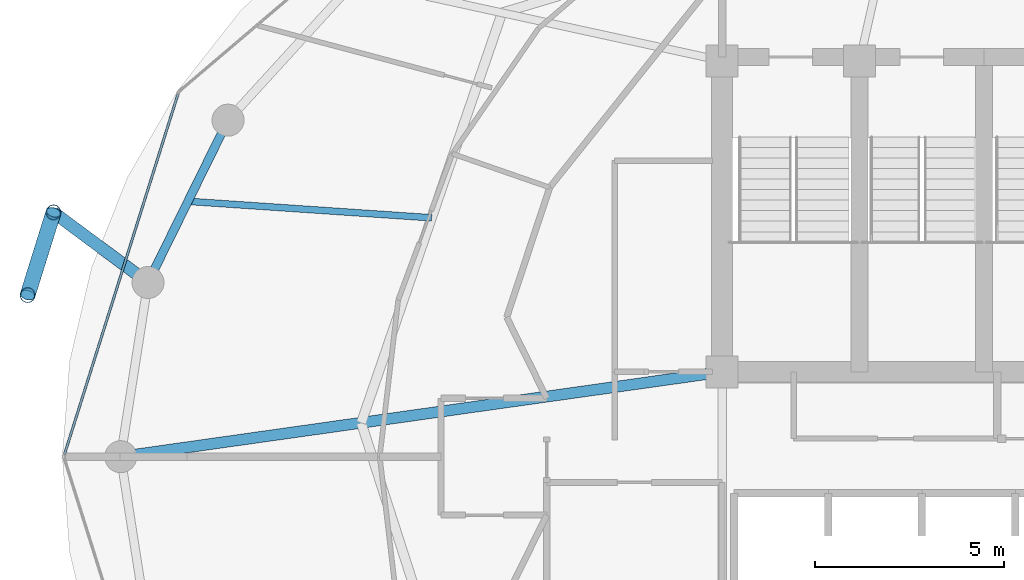
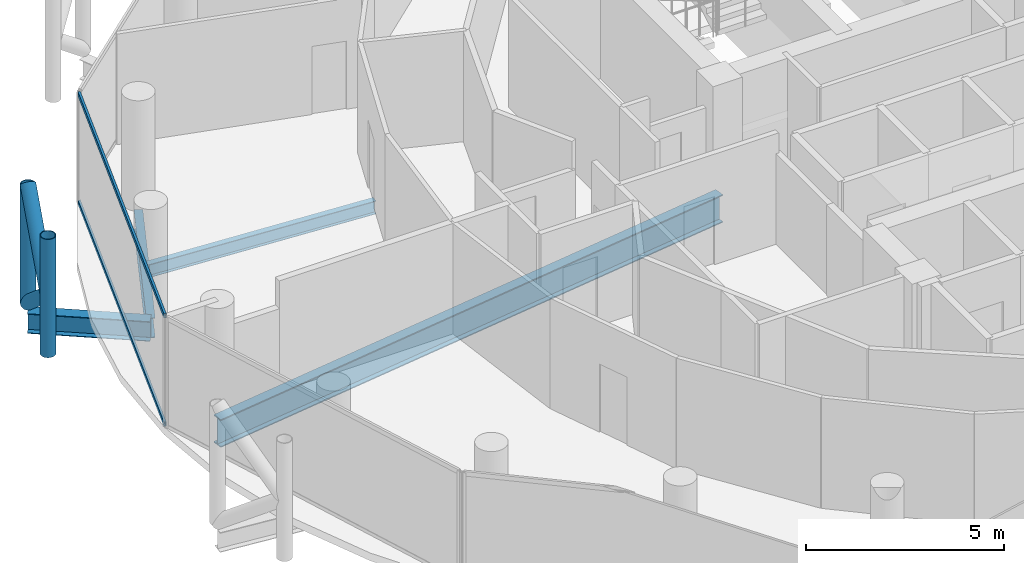
# One storey, part 8 of 27: 6 members, 4 beams, 1 element without a shape of its own.
"""IFC4 building model written with IfcOpenShell, lengths in metres."""

from ifc_helpers import new_model, si_unit, direction, frame, origin, origin_2d, place, context, subcontext, project, spatial, hollow_rectangle, hollow_circle, i_section, extrude, material, layer, layer_set, material_profile, profile_set, type_object, element, aggregate, save


model = new_model("IFC4")

# Units and contexts
model_context = context("Model", 3, precision=1e-05, world=origin(), true_north=direction((0.0, 1.0)))
body_context = subcontext(model_context, "Body", "Model", "MODEL_VIEW")
ifc_project = project(units=[si_unit("LENGTHUNIT", "METRE"), si_unit("AREAUNIT", "SQUARE_METRE"), si_unit("VOLUMEUNIT", "CUBIC_METRE"), si_unit("PLANEANGLEUNIT", "RADIAN"), si_unit("MASSUNIT", "GRAM", prefix="KILO")], contexts=[model_context])

# Site, building, storey
site_placement = place(None, origin())
site = spatial("IfcSite", under=ifc_project, at=site_placement, CompositionType="ELEMENT")
building_placement = place(site_placement, origin())
building = spatial("IfcBuilding", under=site, at=building_placement, Name="Nuhasar Tower", CompositionType="ELEMENT")
storey_placement = place(building_placement, frame((0.0, 0.0, 219.10009765625)))
storey = spatial("IfcBuildingStorey", under=building, at=storey_placement, Name="L53", CompositionType="ELEMENT", Elevation=219.10009765625)

# Beams
ifc_material_1 = material(Name="Steel S355", Category="steel")
ifc_material_profile_1 = material_profile(ifc_material_1, i_section(OverallWidth=0.177978515625, OverallDepth=0.406005859375, WebThickness=0.0078125, FlangeThickness=0.0126953125, at=origin_2d()), Name="W16X40")
ifc_profile_set_1 = profile_set([ifc_material_profile_1], Name="Steel S355")
beam_type_1 = type_object("IfcBeamType", Name="BM-JST-W16X40", PredefinedType="JOIST", material=ifc_profile_set_1)
beam_1_placement = place(storey_placement, frame((25.9970703125, 33.135986328125, -0.443115234375), z_axis=(-0.997721156568, 0.067472170095, 0.0), x_axis=(-0.067472170095, -0.997721156568, 0.0)))
element("IfcBeam", 1, at=beam_1_placement, inside=storey, type_object=beam_type_1, Name="L53 Secondary Floor Joist 07", PredefinedType="JOIST", context=body_context, shape_type="SweptSolid", body=[
    extrude(i_section(OverallWidth=0.177978515625, OverallDepth=0.406005859375, WebThickness=0.0078125, FlangeThickness=0.0126953125, at=origin_2d()), origin(), (0.0, 0.0, 1.0), 6.476806640625),
])
ifc_material_profile_2 = material_profile(ifc_material_1, i_section(OverallWidth=0.2919921875, OverallDepth=0.85888671875, WebThickness=0.01708984375, FlangeThickness=0.031005859375, at=origin_2d()), Name="W33X169")
ifc_profile_set_2 = profile_set([ifc_material_profile_2], Name="Steel S355")
beam_type_2 = type_object("IfcBeamType", Name="BM-POD-W33X169", PredefinedType="BEAM", material=ifc_profile_set_2)
beam_2_placement = place(storey_placement, frame((33.699951171875, 29.050048828125, -0.669189453125), z_axis=(-0.990196233464, -0.139683281866, 0.0), x_axis=(0.139683281866, -0.990196233464, 0.0)))
element("IfcBeam", 2, at=beam_2_placement, inside=storey, type_object=beam_type_2, Name="L53 Radial Floor Girder 08", PredefinedType="BEAM", context=body_context, shape_type="SweptSolid", body=[
    extrude(i_section(OverallWidth=0.2919921875, OverallDepth=0.85888671875, WebThickness=0.01708984375, FlangeThickness=0.031005859375, at=origin_2d()), origin(), (0.0, 0.0, 1.0), 16.10791015625),
])
ifc_material_profile_3 = material_profile(ifc_material_1, i_section(OverallWidth=0.22802734375, OverallDepth=0.60791015625, WebThickness=0.01123046875, FlangeThickness=0.017333984375, at=origin_2d()), Name="W24X76")
ifc_profile_set_3 = profile_set([ifc_material_profile_3], Name="Steel S355")
beam_type_3 = type_object("IfcBeamType", Name="BM-RING-W24X76", PredefinedType="SPANDREL", material=ifc_profile_set_3)
beam_3_placement = place(storey_placement, frame((20.596923828125, 35.72509765625, -0.544189453125), z_axis=(-0.442242604409, -0.896895467067, 0.0), x_axis=(0.896895467067, -0.442242604409, 0.0)))
element("IfcBeam", 3, at=beam_3_placement, inside=storey, type_object=beam_type_3, Name="L53 Perimeter Ring Spandrel 11", PredefinedType="SPANDREL", context=body_context, shape_type="SweptSolid", body=[
    extrude(i_section(OverallWidth=0.22802734375, OverallDepth=0.60791015625, WebThickness=0.01123046875, FlangeThickness=0.017333984375, at=origin_2d()), origin(), (0.0, 0.0, 1.0), 4.800048828125),
])
ifc_material_profile_4 = material_profile(ifc_material_1, i_section(OverallWidth=0.323974609375, OverallDepth=0.611083984375, WebThickness=0.0126953125, FlangeThickness=0.01904296875, at=origin_2d()), Name="W24X104")
ifc_profile_set_4 = profile_set([ifc_material_profile_4], Name="Steel S355")
beam_type_4 = type_object("IfcBeamType", Name="BM-TIE-W24X104", PredefinedType="BEAM", material=ifc_profile_set_4)
beam_4_placement = place(storey_placement, frame((18.47412109375, 31.419921875, -0.545166015625), z_axis=(-0.802945922723, 0.596051881285, 0.0), x_axis=(-0.596051881285, -0.802945922723, 0.0)))
element("IfcBeam", 4, at=beam_4_placement, inside=storey, type_object=beam_type_4, Name="L53 Exoskeleton Node Tie Beam 06", PredefinedType="BEAM", context=body_context, shape_type="SweptSolid", body=[
    extrude(i_section(OverallWidth=0.323974609375, OverallDepth=0.611083984375, WebThickness=0.0126953125, FlangeThickness=0.01904296875, at=origin_2d()), origin(), (0.0, 0.0, 1.0), 3.122314453125),
])

# Curtain wall, members
ifc_material_2 = material(Name="Aluminium 6063-T6", Category="aluminium")
ifc_layer = layer(ifc_material_2, 0.18994140625)
ifc_layer_set = layer_set([ifc_layer], Name="Aluminium 6063-T6")
curtain_wall_type = type_object("IfcCurtainWallType", Name="CW-Z3-RES", PredefinedType="NOTDEFINED", material=ifc_layer_set)
curtain_wall_placement = place(storey_placement, origin())
curtain_wall = element("IfcCurtainWall", 5, at=curtain_wall_placement, inside=storey, type_object=curtain_wall_type, Name="L53 Unitised Curtain Wall 06", PredefinedType="NOTDEFINED")
ifc_material_profile_5 = material_profile(ifc_material_2, hollow_rectangle(XDim=0.06494140625, YDim=0.139892578125, WallThickness=0.00439453125, at=origin_2d()), Name="CWT-4")
ifc_profile_set_5 = profile_set([ifc_material_profile_5], Name="Aluminium 6063-T6")
member_type_1 = type_object("IfcMemberType", Name="CW-TRN-S4", PredefinedType="USERDEFINED", material=ifc_profile_set_5)
member_1_placement = place(storey_placement, frame((19.26953125, 36.41796875, 0.032470703125), z_axis=(-0.300437373386, -0.953801543652, 0.0), x_axis=(0.953801543652, -0.300437373386, 0.0)))
member_1 = element("IfcMember", 6, at=member_1_placement, type_object=member_type_1, Name="CW-Z3 transom 1.1", ObjectType="TRANSOM", PredefinedType="USERDEFINED", context=body_context, shape_type="SweptSolid", body=[
    extrude(hollow_rectangle(XDim=0.06494140625, YDim=0.139892578125, WallThickness=0.00439453125, at=origin_2d()), origin(), (0.0, 0.0, 1.0), 10.018798828125),
])
member_2_placement = place(storey_placement, frame((19.26953125, 36.41796875, 3.37744140625), z_axis=(-0.300437373386, -0.953801543652, 0.0), x_axis=(0.953801543652, -0.300437373386, 0.0)))
member_2 = element("IfcMember", 7, at=member_2_placement, type_object=member_type_1, Name="CW-Z3 transom 1.2", ObjectType="TRANSOM", PredefinedType="USERDEFINED", context=body_context, shape_type="SweptSolid", body=[
    extrude(hollow_rectangle(XDim=0.06494140625, YDim=0.139892578125, WallThickness=0.00439453125, at=origin_2d()), origin(), (0.0, 0.0, 1.0), 10.018798828125),
])
aggregate(curtain_wall, [member_1, member_2])

# Members
ifc_material_3 = material(Name="Steel S460", Category="steel")
ifc_material_profile_6 = material_profile(ifc_material_3, hollow_circle(Radius=0.203125, WallThickness=0.01904296875, at=origin_2d()), Name="HSS406.4X19.1")
ifc_profile_set_6 = profile_set([ifc_material_profile_6], Name="Steel S460")
member_type_2 = type_object("IfcMemberType", Name="EXO-BRONZE-406", PredefinedType="BRACE", material=ifc_profile_set_6)
for number, where, z_axis, x_axis, name in (
    (8, (15.967041015625, 33.281005859375, 0.0), (0.0, 0.0, 1.0), (1.0, 0.0, 0.0), "L53 Exoskeleton Chord Column EC-06A"),
    (9, (15.281982421875, 31.0859375, 0.0), (0.0, 0.0, 1.0), (1.0, 0.0, 0.0), "L53 Exoskeleton Chord Column EC-06B"),
):
    element("IfcMember", number, at=place(storey_placement, frame(where, z_axis=z_axis, x_axis=x_axis)), inside=storey, type_object=member_type_2, Name=name, PredefinedType="BRACE", context=body_context, shape_type="SweptSolid", body=[
        extrude(hollow_circle(Radius=0.203125, WallThickness=0.01904296875, at=origin_2d()), origin(), (0.0, 0.0, 1.0), 3.64990234375),
    ])
for number, where, z_axis, x_axis, name in (
    (10, (15.967041015625, 33.281005859375, 0.0), (-0.233357911711, -0.747726651531, 0.621650174641), (0.954591372974, -0.297918295247, 0.0), "L53 Bronze Diagrid Brace W1-06"),
    (11, (15.281982421875, 31.0859375, 1.824951171875), (0.233357911711, 0.747726651531, 0.621650174641), (-0.954591372974, 0.297918295247, 0.0), "L53 Bronze Diagrid Brace W2-06"),
):
    element("IfcMember", number, at=place(storey_placement, frame(where, z_axis=z_axis, x_axis=x_axis)), inside=storey, type_object=member_type_2, Name=name, PredefinedType="BRACE", context=body_context, shape_type="SweptSolid", body=[
        extrude(hollow_circle(Radius=0.203125, WallThickness=0.01904296875, at=origin_2d()), origin(), (0.0, 0.0, 1.0), 2.935546875),
    ])

save(model, "model.ifc")
